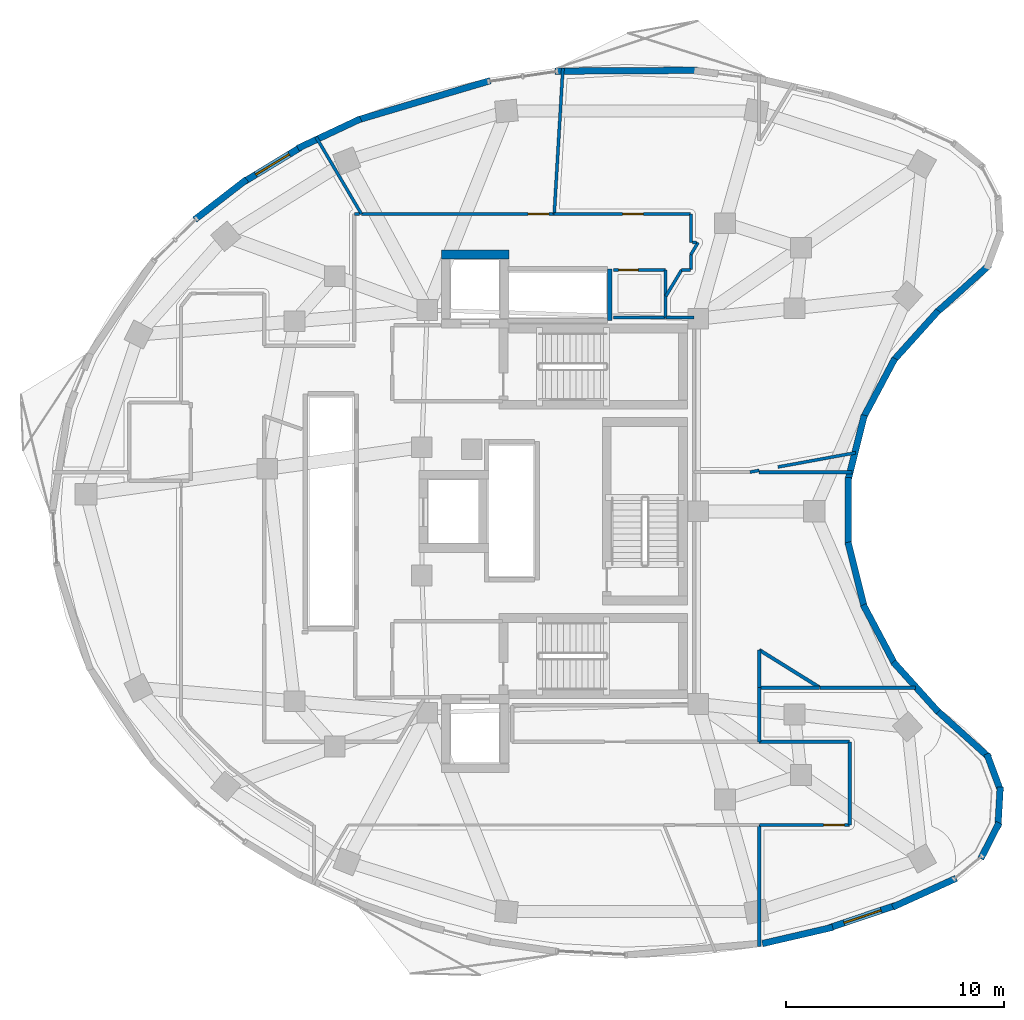
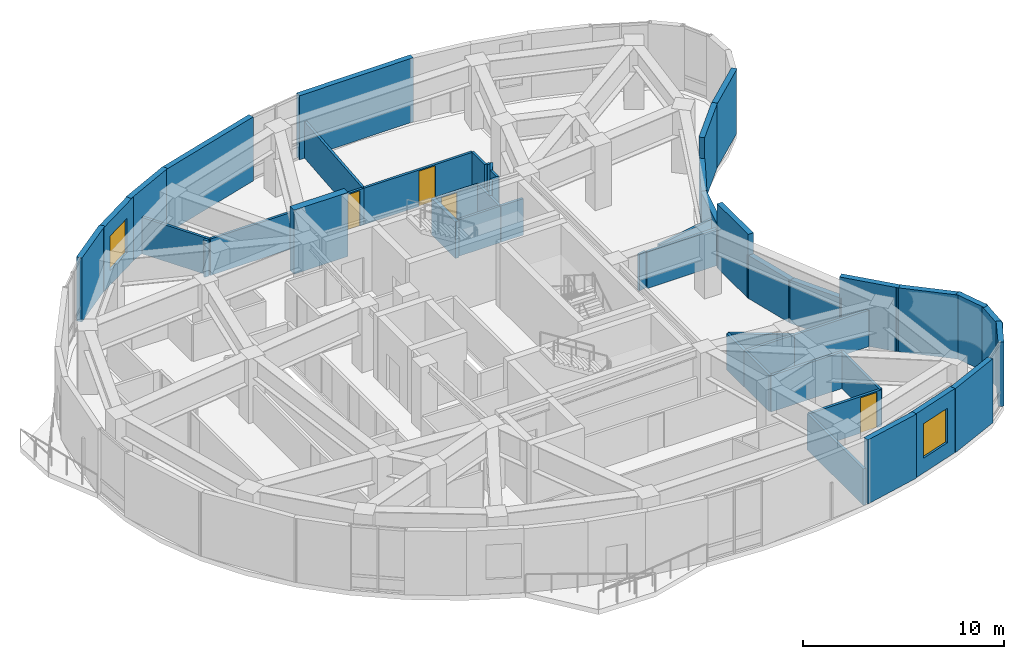
# One storey, part 8 of 12: 49 walls, 4 doors, 2 windows, 6 openings.
"""IFC4 building model written with IfcOpenShell, lengths in metres."""

from ifc_helpers import new_model, si_unit, direction, frame, frame_2d, origin, place, context, subcontext, project, spatial, rectangle, extrude, material, layer, layer_set, type_object, element, fill, save


model = new_model("IFC4")

# Units and contexts
model_context = context("Model", 3, precision=1e-05, world=origin(), true_north=direction((0.0, 1.0)))
body_context = subcontext(model_context, "Body", "Model", "MODEL_VIEW")
ifc_project = project(units=[si_unit("LENGTHUNIT", "METRE"), si_unit("AREAUNIT", "SQUARE_METRE"), si_unit("VOLUMEUNIT", "CUBIC_METRE"), si_unit("PLANEANGLEUNIT", "RADIAN"), si_unit("MASSUNIT", "GRAM", prefix="KILO")], contexts=[model_context])

# Site, building, storey
site_placement = place(None, origin())
site = spatial("IfcSite", under=ifc_project, at=site_placement, CompositionType="ELEMENT")
building_placement = place(site_placement, origin())
building = spatial("IfcBuilding", under=site, at=building_placement, Name="Korentha Bioscience Tower", CompositionType="ELEMENT")
storey_placement = place(building_placement, frame((0.0, 0.0, 196.199951171875)))
storey = spatial("IfcBuildingStorey", under=building, at=storey_placement, Name="L45", CompositionType="ELEMENT", Elevation=196.199951171875)

# Wall, opening, door
ifc_material_1 = material(Name="Double-Stud Acoustic Gypsum", Category="gypsum")
ifc_layer_1 = layer(ifc_material_1, 0.14990234375, Name="Double-Stud Acoustic Gypsum")
ifc_layer_set_1 = layer_set([ifc_layer_1], Name="Double-Stud Acoustic Gypsum (IW-L150)")
wall_type_1 = type_object("IfcWallType", Name="Acoustic Laboratory Partition Wall 150", PredefinedType="PARTITIONING", material=ifc_layer_set_1)
wall_1_placement = place(storey_placement, frame((40.35791015625, 12.590087890625, 0.0), z_axis=(0.0, 0.0, 1.0), x_axis=(1.0, 0.0, 0.0)))
wall_1 = element("IfcWall", 1, at=wall_1_placement, inside=storey, type_object=wall_type_1, Name="L45 Researchers' Wellness Quiet Room 05 Entrance Wall", PredefinedType="PARTITIONING", context=body_context, shape_type="SweptSolid", body=[
    extrude(rectangle(XDim=4.14208984375, YDim=0.14990234375, at=frame_2d((2.071044921875, 0.0))), origin(), (0.0, 0.0, 1.0), 2.219970703125),
])
opening_1_placement = place(wall_1_placement, frame((2.951904296875, 0.0, 0.0)))
opening_1 = element("IfcOpeningElement", 2, at=opening_1_placement, cuts=wall_1, Name="Opening ID-10R", PredefinedType="OPENING", context=body_context, shape_type="SweptSolid", body=[
    extrude(rectangle(XDim=0.949951171875, YDim=2.14990234375, at=frame_2d((0.47509765625, 1.074951171875))), frame((0.0, 0.08984375, 0.0), z_axis=(0.0, -1.0, 0.0), x_axis=(1.0, 0.0, 0.0)), (0.0, 0.0, 1.0), 0.1796875),
])
ifc_material_2 = material(Name="Phenolic Laminate Timber Core", Category="wood")
door_type_1 = type_object("IfcDoorType", Name="Laboratory Single Leaf Door 950x2150 Right", OperationType="SINGLE_SWING_RIGHT", PredefinedType="DOOR", material=ifc_material_2)
door_1_placement = place(opening_1_placement, origin())
door_1 = element("IfcDoor", 3, at=door_1_placement, inside=storey, type_object=door_type_1, Name="L45 Researchers' Wellness Quiet Room 05 Door", OperationType="SINGLE_SWING_RIGHT", OverallHeight=2.14990234375, OverallWidth=0.949951171875, PredefinedType="DOOR", context=body_context, shape_type="SweptSolid", body=[
    extrude(rectangle(XDim=0.949951171875, YDim=2.14990234375, at=frame_2d((0.47509765625, 1.074951171875))), frame((0.0, 0.02490234375, 0.0), z_axis=(0.0, -1.0, 0.0), x_axis=(1.0, 0.0, 0.0)), (0.0, 0.0, 1.0), 0.050048828125),
])
fill(opening_1, door_1)

# Walls
wall_2_placement = place(storey_placement, frame((40.347900390625, 12.590087890625, 0.0), z_axis=(0.0, 0.0, 1.0), x_axis=(0.0, -1.0, 0.0)))
element("IfcWall", 4, at=wall_2_placement, inside=storey, type_object=wall_type_1, Name="L45 Interior Partition 033", PredefinedType="PARTITIONING", context=body_context, shape_type="SweptSolid", body=[
    extrude(rectangle(XDim=5.5810546875, YDim=0.14990234375, at=frame_2d((2.79052734375, 0.0))), origin(), (0.0, 0.0, 1.0), 2.219970703125),
])
wall_3_placement = place(storey_placement, frame((40.35205078125, 18.89794921875, 0.0), z_axis=(0.0, 0.0, 1.0), x_axis=(1.0, 0.0, 0.0)))
element("IfcWall", 5, at=wall_3_placement, inside=storey, type_object=wall_type_1, Name="L45 Interior Partition 034", PredefinedType="PARTITIONING", context=body_context, shape_type="SweptSolid", body=[
    extrude(rectangle(XDim=2.78076171875, YDim=0.14990234375, at=frame_2d((1.390380859375, 0.0))), origin(), (0.0, 0.0, 1.0), 2.219970703125),
])
wall_4_placement = place(storey_placement, frame((43.140625, 18.89794921875, 0.0), z_axis=(0.0, 0.0, 1.0), x_axis=(1.0, 0.0, 0.0)))
element("IfcWall", 6, at=wall_4_placement, inside=storey, type_object=wall_type_1, Name="L45 Interior Partition 035", PredefinedType="PARTITIONING", context=body_context, shape_type="SweptSolid", body=[
    extrude(rectangle(XDim=4.395263671875, YDim=0.14990234375, at=frame_2d((2.19775390625, 0.0))), origin(), (0.0, 0.0, 1.0), 2.219970703125),
])
wall_5_placement = place(storey_placement, frame((44.510009765625, 12.60009765625, 0.0), z_axis=(0.0, 0.0, 1.0), x_axis=(0.0, 1.0, 0.0)))
element("IfcWall", 7, at=wall_5_placement, inside=storey, type_object=wall_type_1, Name="L45 Interior Partition 036", PredefinedType="PARTITIONING", context=body_context, shape_type="SweptSolid", body=[
    extrude(rectangle(XDim=3.7998046875, YDim=0.14990234375, at=frame_2d((1.89990234375, 0.0))), origin(), (0.0, 0.0, 1.0), 2.219970703125),
])
wall_6_placement = place(storey_placement, frame((44.5, 16.409912109375, 0.0), z_axis=(0.0, 0.0, 1.0), x_axis=(-1.0, 0.0, 0.0)))
element("IfcWall", 8, at=wall_6_placement, inside=storey, type_object=wall_type_1, Name="L45 Interior Partition 037", PredefinedType="PARTITIONING", context=body_context, shape_type="SweptSolid", body=[
    extrude(rectangle(XDim=4.14794921875, YDim=0.14990234375, at=frame_2d((2.073974609375, 0.0))), origin(), (0.0, 0.0, 1.0), 2.219970703125),
])
wall_7_placement = place(storey_placement, frame((40.35205078125, 16.409912109375, 0.0), z_axis=(0.0, 0.0, 1.0), x_axis=(0.0, 1.0, 0.0)))
element("IfcWall", 9, at=wall_7_placement, inside=storey, type_object=wall_type_1, Name="L45 Interior Partition 038", PredefinedType="PARTITIONING", context=body_context, shape_type="SweptSolid", body=[
    extrude(rectangle(XDim=2.488037109375, YDim=0.14990234375, at=frame_2d((1.244140625, 0.0))), origin(), (0.0, 0.0, 1.0), 2.219970703125),
])
wall_8_placement = place(storey_placement, frame((21.99169921875, 40.659912109375, 0.0), z_axis=(0.0, 0.0, 1.0), x_axis=(-1.0, 0.0, 0.0)))
element("IfcWall", 10, at=wall_8_placement, inside=storey, type_object=wall_type_1, Name="L45 Interior Partition 062", PredefinedType="PARTITIONING", context=body_context, shape_type="SweptSolid", body=[
    extrude(rectangle(XDim=0.24169921875, YDim=0.14990234375, at=frame_2d((0.120849609375, 0.0))), origin(), (0.0, 0.0, 1.0), 2.219970703125),
])

# Wall, opening, door
ifc_material_3 = material(Name="Insulated Aluminium Honeycomb Panel", Category="aluminium")
ifc_layer_2 = layer(ifc_material_3, 0.139892578125, Name="Insulated Aluminium Honeycomb Panel")
ifc_layer_set_2 = layer_set([ifc_layer_2], Name="Insulated Aluminium Honeycomb Panel (IW-F60)")
wall_type_2 = type_object("IfcWallType", Name="Cleanroom Flush Metal Panel Partition 140", PredefinedType="PARTITIONING", material=ifc_layer_set_2)
wall_9_placement = place(storey_placement, frame((37.199951171875, 40.659912109375, 0.0), z_axis=(0.0, 0.0, 1.0), x_axis=(-1.0, 0.0, 0.0)))
wall_9 = element("IfcWall", 11, at=wall_9_placement, inside=storey, type_object=wall_type_2, Name="L45 BSL-2 Cell Culture Cleanroom Laboratory 07 Entrance Wall", PredefinedType="PARTITIONING", context=body_context, shape_type="SweptSolid", body=[
    extrude(rectangle(XDim=6.265869140625, YDim=0.139892578125, at=frame_2d((3.1328125, 0.0))), origin(), (0.0, 0.0, 1.0), 2.219970703125),
])
opening_2_placement = place(wall_9_placement, frame((2.173095703125, 0.0, 0.0)))
opening_2 = element("IfcOpeningElement", 12, at=opening_2_placement, cuts=wall_9, Name="Opening ID-10R", PredefinedType="OPENING", context=body_context, shape_type="SweptSolid", body=[
    extrude(rectangle(XDim=0.949951171875, YDim=2.14990234375, at=frame_2d((0.47509765625, 1.074951171875))), frame((0.0, 0.0849609375, 0.0), z_axis=(0.0, -1.0, 0.0), x_axis=(1.0, 0.0, 0.0)), (0.0, 0.0, 1.0), 0.169677734375),
])
door_2_placement = place(opening_2_placement, origin())
door_2 = element("IfcDoor", 13, at=door_2_placement, inside=storey, type_object=door_type_1, Name="L45 BSL-2 Cell Culture Cleanroom Laboratory 07 Door", OperationType="SINGLE_SWING_RIGHT", OverallHeight=2.14990234375, OverallWidth=0.949951171875, PredefinedType="DOOR", context=body_context, shape_type="SweptSolid", body=[
    extrude(rectangle(XDim=0.949951171875, YDim=2.14990234375, at=frame_2d((0.47509765625, 1.074951171875))), frame((0.0, 0.02490234375, 0.0), z_axis=(0.0, -1.0, 0.0), x_axis=(1.0, 0.0, 0.0)), (0.0, 0.0, 1.0), 0.050048828125),
])
fill(opening_2, door_2)

wall_10_placement = place(storey_placement, frame((30.924072265625, 40.659912109375, 0.0), z_axis=(0.0, 0.0, 1.0), x_axis=(-1.0, 0.0, 0.0)))
wall_10 = element("IfcWall", 14, at=wall_10_placement, inside=storey, type_object=wall_type_2, Name="L45 Airlock Gowning Anteroom 08 Entrance Wall", PredefinedType="PARTITIONING", context=body_context, shape_type="SweptSolid", body=[
    extrude(rectangle(XDim=8.84765625, YDim=0.139892578125, at=frame_2d((4.423828125, 0.0))), origin(), (0.0, 0.0, 1.0), 2.219970703125),
])
opening_3_placement = place(wall_10_placement, frame((0.239990234375, 0.0, 0.0)))
opening_3 = element("IfcOpeningElement", 15, at=opening_3_placement, cuts=wall_10, Name="Opening ID-10L", PredefinedType="OPENING", context=body_context, shape_type="SweptSolid", body=[
    extrude(rectangle(XDim=0.949951171875, YDim=2.14990234375, at=frame_2d((0.47509765625, 1.074951171875))), frame((0.0, 0.0849609375, 0.0), z_axis=(0.0, -1.0, 0.0), x_axis=(1.0, 0.0, 0.0)), (0.0, 0.0, 1.0), 0.169677734375),
])
door_type_2 = type_object("IfcDoorType", Name="Laboratory Single Leaf Door 950x2150 Left", OperationType="SINGLE_SWING_LEFT", PredefinedType="DOOR", material=ifc_material_2)
door_3_placement = place(opening_3_placement, origin())
door_3 = element("IfcDoor", 16, at=door_3_placement, inside=storey, type_object=door_type_2, Name="L45 Airlock Gowning Anteroom 08 Door", OperationType="SINGLE_SWING_LEFT", OverallHeight=2.14990234375, OverallWidth=0.949951171875, PredefinedType="DOOR", context=body_context, shape_type="SweptSolid", body=[
    extrude(rectangle(XDim=0.949951171875, YDim=2.14990234375, at=frame_2d((0.47509765625, 1.074951171875))), frame((0.0, 0.02490234375, 0.0), z_axis=(0.0, -1.0, 0.0), x_axis=(1.0, 0.0, 0.0)), (0.0, 0.0, 1.0), 0.050048828125),
])
fill(opening_3, door_3)

# Walls
wall_11_placement = place(storey_placement, frame((44.777587890625, 29.692138671875, 0.0), z_axis=(0.0, 0.0, 1.0), x_axis=(-0.983576469436, -0.180491907776, 0.0)))
element("IfcWall", 17, at=wall_11_placement, inside=storey, type_object=wall_type_2, Name="L45 Interior Partition 049", PredefinedType="PARTITIONING", context=body_context, shape_type="SweptSolid", body=[
    extrude(rectangle(XDim=3.623779296875, YDim=0.139892578125, at=frame_2d((1.81201171875, 0.0))), origin(), (0.0, 0.0, 1.0), 2.219970703125),
])
wall_12_placement = place(storey_placement, frame((40.347900390625, 28.879150390625, 0.0), z_axis=(0.0, 0.0, 1.0), x_axis=(-0.983557526281, -0.180595106511, 0.0)))
element("IfcWall", 18, at=wall_12_placement, inside=storey, type_object=wall_type_2, Name="L45 Interior Partition 050", PredefinedType="PARTITIONING", context=body_context, shape_type="SweptSolid", body=[
    extrude(rectangle(XDim=0.42724609375, YDim=0.139892578125, at=frame_2d((0.213623046875, 0.0))), origin(), (0.0, 0.0, 1.0), 2.219970703125),
])
wall_13_placement = place(storey_placement, frame((37.35009765625, 35.909912109375, 0.0), z_axis=(0.0, 0.0, 1.0), x_axis=(-1.0, 0.0, 0.0)))
element("IfcWall", 19, at=wall_13_placement, inside=storey, type_object=wall_type_2, Name="L45 Interior Partition 053", PredefinedType="PARTITIONING", context=body_context, shape_type="SweptSolid", body=[
    extrude(rectangle(XDim=1.2900390625, YDim=0.139892578125, at=frame_2d((0.64501953125, 0.0))), origin(), (0.0, 0.0, 1.0), 2.219970703125),
])
wall_14_placement = place(storey_placement, frame((36.06005859375, 36.88134765625, 0.0), z_axis=(0.0, 0.0, 1.0), x_axis=(0.515055765628, 0.857156670798, 0.0)))
element("IfcWall", 20, at=wall_14_placement, inside=storey, type_object=wall_type_2, Name="L45 Interior Partition 054", PredefinedType="PARTITIONING", context=body_context, shape_type="SweptSolid", body=[
    extrude(rectangle(XDim=1.41015625, YDim=0.139892578125, at=frame_2d((0.705078125, 0.0))), origin(), (0.0, 0.0, 1.0), 2.219970703125),
])
wall_15_placement = place(storey_placement, frame((36.786376953125, 38.090087890625, 0.0), z_axis=(0.0, 0.0, 1.0), x_axis=(1.0, 0.0, 0.0)))
element("IfcWall", 21, at=wall_15_placement, inside=storey, type_object=wall_type_2, Name="L45 Interior Partition 055", PredefinedType="PARTITIONING", context=body_context, shape_type="SweptSolid", body=[
    extrude(rectangle(XDim=0.41357421875, YDim=0.139892578125, at=frame_2d((0.206787109375, 0.0))), origin(), (0.0, 0.0, 1.0), 2.219970703125),
])
wall_16_placement = place(storey_placement, frame((37.2099609375, 38.10009765625, 0.0), z_axis=(0.0, 0.0, 1.0), x_axis=(0.0, 1.0, 0.0)))
element("IfcWall", 22, at=wall_16_placement, inside=storey, type_object=wall_type_2, Name="L45 Interior Partition 056", PredefinedType="PARTITIONING", context=body_context, shape_type="SweptSolid", body=[
    extrude(rectangle(XDim=0.695068359375, YDim=0.139892578125, at=frame_2d((0.34765625, 0.0))), origin(), (0.0, 0.0, 1.0), 2.219970703125),
])
wall_17_placement = place(storey_placement, frame((37.2099609375, 38.795166015625, 0.0), z_axis=(0.0, 0.0, 1.0), x_axis=(0.515166038095, 0.857090399662, 0.0)))
element("IfcWall", 23, at=wall_17_placement, inside=storey, type_object=wall_type_2, Name="L45 Interior Partition 057", PredefinedType="PARTITIONING", context=body_context, shape_type="SweptSolid", body=[
    extrude(rectangle(XDim=0.642578125, YDim=0.139892578125, at=frame_2d((0.3212890625, 0.0))), origin(), (0.0, 0.0, 1.0), 2.219970703125),
])
wall_18_placement = place(storey_placement, frame((37.45947265625, 39.35205078125, 0.0), z_axis=(0.0, 0.0, 1.0), x_axis=(-1.0, 0.0, 0.0)))
element("IfcWall", 24, at=wall_18_placement, inside=storey, type_object=wall_type_2, Name="L45 Interior Partition 058", PredefinedType="PARTITIONING", context=body_context, shape_type="SweptSolid", body=[
    extrude(rectangle(XDim=0.176513671875, YDim=0.139892578125, at=frame_2d((0.08837890625, 0.0))), origin(), (0.0, 0.0, 1.0), 2.219970703125),
])
wall_19_placement = place(storey_placement, frame((37.2099609375, 39.35205078125, 0.0), z_axis=(0.0, 0.0, 1.0), x_axis=(0.0, 1.0, 0.0)))
element("IfcWall", 25, at=wall_19_placement, inside=storey, type_object=wall_type_2, Name="L45 Interior Partition 059", PredefinedType="PARTITIONING", context=body_context, shape_type="SweptSolid", body=[
    extrude(rectangle(XDim=1.2978515625, YDim=0.139892578125, at=frame_2d((0.64892578125, 0.0))), origin(), (0.0, 0.0, 1.0), 2.219970703125),
])
wall_20_placement = place(storey_placement, frame((30.93408203125, 40.659912109375, 0.0), z_axis=(0.0, 0.0, 1.0), x_axis=(0.059274468421, 0.998241722928, 0.0)))
element("IfcWall", 26, at=wall_20_placement, inside=storey, type_object=wall_type_2, Name="L45 Interior Partition 060", PredefinedType="PARTITIONING", context=body_context, shape_type="SweptSolid", body=[
    extrude(rectangle(XDim=6.70947265625, YDim=0.139892578125, at=frame_2d((3.354736328125, 0.0))), origin(), (0.0, 0.0, 1.0), 2.219970703125),
])
wall_21_placement = place(storey_placement, frame((22.076416015625, 40.659912109375, 0.0), z_axis=(0.0, 0.0, 1.0), x_axis=(-0.507538873586, 0.86162885966, 0.0)))
element("IfcWall", 27, at=wall_21_placement, inside=storey, type_object=wall_type_2, Name="L45 Interior Partition 061", PredefinedType="PARTITIONING", context=body_context, shape_type="SweptSolid", body=[
    extrude(rectangle(XDim=4.11279296875, YDim=0.139892578125, at=frame_2d((2.056396484375, 0.0))), origin(), (0.0, 0.0, 1.0), 2.219970703125),
])
ifc_material_4 = material(Name="Gypsum-Clad Steel Stud", Category="steel")
ifc_layer_3 = layer(ifc_material_4, 0.159912109375, Name="Gypsum-Clad Steel Stud")
ifc_layer_set_3 = layer_set([ifc_layer_3], Name="Gypsum-Clad Steel Stud (IW-C160)")
wall_type_3 = type_object("IfcWallType", Name="Fire-Rated Corridor Partition Wall 160", PredefinedType="PARTITIONING", material=ifc_layer_set_3)
wall_22_placement = place(storey_placement, frame((40.35205078125, 28.798095703125, 0.0), z_axis=(0.0, 0.0, 1.0), x_axis=(1.0, 0.0, 0.0)))
element("IfcWall", 28, at=wall_22_placement, inside=storey, type_object=wall_type_3, Name="L45 Interior Partition 043", PredefinedType="PARTITIONING", context=body_context, shape_type="SweptSolid", body=[
    extrude(rectangle(XDim=4.2734375, YDim=0.159912109375, at=frame_2d((2.13671875, 0.0))), origin(), (0.0, 0.0, 1.0), 2.219970703125),
])
wall_23_placement = place(storey_placement, frame((43.12451171875, 18.907958984375, 0.0), z_axis=(0.0, 0.0, 1.0), x_axis=(-0.848988734201, 0.528410947274, 0.0)))
element("IfcWall", 29, at=wall_23_placement, inside=storey, type_object=wall_type_3, Name="L45 Interior Partition 044", PredefinedType="PARTITIONING", context=body_context, shape_type="SweptSolid", body=[
    extrude(rectangle(XDim=3.26318359375, YDim=0.159912109375, at=frame_2d((1.631591796875, 0.0))), origin(), (0.0, 0.0, 1.0), 2.219970703125),
])
wall_24_placement = place(storey_placement, frame((40.347900390625, 20.62890625, 0.0), z_axis=(0.0, 0.0, 1.0), x_axis=(0.0, -1.0, 0.0)))
element("IfcWall", 30, at=wall_24_placement, inside=storey, type_object=wall_type_3, Name="L45 Interior Partition 045", PredefinedType="PARTITIONING", context=body_context, shape_type="SweptSolid", body=[
    extrude(rectangle(XDim=1.721923828125, YDim=0.159912109375, at=frame_2d((0.86083984375, 0.0))), origin(), (0.0, 0.0, 1.0), 2.219970703125),
])

# Wall, opening, window
ifc_material_5 = material(Name="Honed Limestone Precast Concrete C40", Category="masonry")
ifc_layer_4 = layer(ifc_material_5, 0.300048828125, Name="Honed Limestone Precast Concrete C40")
ifc_layer_set_4 = layer_set([ifc_layer_4], Name="Honed Limestone Precast Concrete C40 (EW-ST300)")
wall_type_4 = type_object("IfcWallType", Name="Honed Limestone Cavity Spandrel Wall 300", PredefinedType="STANDARD", material=ifc_layer_set_4)
wall_25_placement = place(storey_placement, frame((19.303466796875, 43.736083984375, 0.0), z_axis=(0.0, 0.0, 1.0), x_axis=(-0.85455658592, -0.519358297769, 0.0)))
wall_25 = element("IfcWall", 31, at=wall_25_placement, inside=storey, type_object=wall_type_4, Name="L45 Honed Limestone Spandrel Wall 11", PredefinedType="STANDARD", context=body_context, shape_type="SweptSolid", body=[
    extrude(rectangle(XDim=3.06640625, YDim=0.300048828125, at=frame_2d((1.533203125, 0.0))), origin(), (0.0, 0.0, 1.0), 3.900146484375),
])
opening_4_placement = place(wall_25_placement, frame((0.63330078125, 0.0, 0.89990234375)))
opening_4 = element("IfcOpeningElement", 32, at=opening_4_placement, cuts=wall_25, Name="Opening WN-01", PredefinedType="OPENING", context=body_context, shape_type="SweptSolid", body=[
    extrude(rectangle(XDim=1.800048828125, YDim=2.10009765625, at=frame_2d((0.89990234375, 1.050048828125))), frame((0.0, 0.1650390625, 0.0), z_axis=(0.0, -1.0, 0.0), x_axis=(1.0, 0.0, 0.0)), (0.0, 0.0, 1.0), 0.329833984375),
])
ifc_material_6 = material(Name="Thermally Broken Aluminium Triple Glazing", Category="aluminium")
window_type = type_object("IfcWindowType", Name="Triple-Glazed Fixed Bioscience Window 1800x2100", PartitioningType="SINGLE_PANEL", PredefinedType="WINDOW", material=ifc_material_6)
window_1_placement = place(opening_4_placement, origin())
window_1 = element("IfcWindow", 33, at=window_1_placement, inside=storey, type_object=window_type, Name="L45 Facade Window 11", OverallHeight=2.10009765625, OverallWidth=1.800048828125, PartitioningType="SINGLE_PANEL", PredefinedType="WINDOW", context=body_context, shape_type="SweptSolid", body=[
    extrude(rectangle(XDim=1.800048828125, YDim=2.10009765625, at=frame_2d((0.89990234375, 1.050048828125))), frame((0.0, 0.030029296875, 0.0), z_axis=(0.0, -1.0, 0.0), x_axis=(1.0, 0.0, 0.0)), (0.0, 0.0, 1.0), 0.06005859375),
])
fill(opening_4, window_1)

wall_26_placement = place(storey_placement, frame((43.5732421875, 7.865966796875, 0.0), z_axis=(0.0, 0.0, 1.0), x_axis=(0.947663163736, 0.319271871761, 0.0)))
wall_26 = element("IfcWall", 34, at=wall_26_placement, inside=storey, type_object=wall_type_4, Name="L45 Honed Limestone Spandrel Wall 35", PredefinedType="STANDARD", context=body_context, shape_type="SweptSolid", body=[
    extrude(rectangle(XDim=3.222412109375, YDim=0.300048828125, at=frame_2d((1.611328125, 0.0))), origin(), (0.0, 0.0, 1.0), 3.900146484375),
])
opening_5_placement = place(wall_26_placement, frame((0.711181640625, 0.0, 0.89990234375)))
opening_5 = element("IfcOpeningElement", 35, at=opening_5_placement, cuts=wall_26, Name="Opening WN-01", PredefinedType="OPENING", context=body_context, shape_type="SweptSolid", body=[
    extrude(rectangle(XDim=1.800048828125, YDim=2.10009765625, at=frame_2d((0.89990234375, 1.050048828125))), frame((0.0, 0.1650390625, 0.0), z_axis=(0.0, -1.0, 0.0), x_axis=(1.0, 0.0, 0.0)), (0.0, 0.0, 1.0), 0.329833984375),
])
window_2_placement = place(opening_5_placement, origin())
window_2 = element("IfcWindow", 36, at=window_2_placement, inside=storey, type_object=window_type, Name="L45 Facade Window 35", OverallHeight=2.10009765625, OverallWidth=1.800048828125, PartitioningType="SINGLE_PANEL", PredefinedType="WINDOW", context=body_context, shape_type="SweptSolid", body=[
    extrude(rectangle(XDim=1.800048828125, YDim=2.10009765625, at=frame_2d((0.89990234375, 1.050048828125))), frame((0.0, 0.030029296875, 0.0), z_axis=(0.0, -1.0, 0.0), x_axis=(1.0, 0.0, 0.0)), (0.0, 0.0, 1.0), 0.06005859375),
])
fill(opening_5, window_2)

# Walls
wall_27_placement = place(storey_placement, frame((37.52685546875, 47.2626953125, 0.0), z_axis=(0.0, 0.0, 1.0), x_axis=(-0.999982312698, -0.005947629086, 0.0)))
element("IfcWall", 37, at=wall_27_placement, inside=storey, type_object=wall_type_4, Name="L45 Limestone Perimeter Closure Wall 05", PredefinedType="STANDARD", context=body_context, shape_type="SweptSolid", body=[
    extrude(rectangle(XDim=6.567626953125, YDim=0.300048828125, at=frame_2d((3.28369140625, 0.0))), origin(), (0.0, 0.0, 1.0), 3.900146484375),
])
wall_28_placement = place(storey_placement, frame((28.001708984375, 46.791259765625, 0.0), z_axis=(0.0, 0.0, 1.0), x_axis=(-0.958672086524, -0.284513322218, 0.0)))
element("IfcWall", 38, at=wall_28_placement, inside=storey, type_object=wall_type_4, Name="L45 Limestone Perimeter Closure Wall 08", PredefinedType="STANDARD", context=body_context, shape_type="SweptSolid", body=[
    extrude(rectangle(XDim=6.3955078125, YDim=0.300048828125, at=frame_2d((3.19775390625, 0.0))), origin(), (0.0, 0.0, 1.0), 3.900146484375),
])
wall_29_placement = place(storey_placement, frame((22.03955078125, 45.035888671875, 0.0), z_axis=(0.0, 0.0, 1.0), x_axis=(-0.90504435143, -0.425317201561, 0.0)))
element("IfcWall", 39, at=wall_29_placement, inside=storey, type_object=wall_type_4, Name="L45 Limestone Perimeter Closure Wall 10", PredefinedType="STANDARD", context=body_context, shape_type="SweptSolid", body=[
    extrude(rectangle(XDim=3.185791015625, YDim=0.300048828125, at=frame_2d((1.5927734375, 0.0))), origin(), (0.0, 0.0, 1.0), 3.900146484375),
])
wall_30_placement = place(storey_placement, frame((16.80029296875, 42.249755859375, 0.0), z_axis=(0.0, 0.0, 1.0), x_axis=(-0.790530517055, -0.612422649488, 0.0)))
element("IfcWall", 40, at=wall_30_placement, inside=storey, type_object=wall_type_4, Name="L45 Limestone Perimeter Closure Wall 12", PredefinedType="STANDARD", context=body_context, shape_type="SweptSolid", body=[
    extrude(rectangle(XDim=3.019775390625, YDim=0.300048828125, at=frame_2d((1.509765625, 0.0))), origin(), (0.0, 0.0, 1.0), 3.900146484375),
])
wall_31_placement = place(storey_placement, frame((40.498779296875, 7.1396484375, 0.0), z_axis=(0.0, 0.0, 1.0), x_axis=(0.974179712493, 0.225773974956, 0.0)))
element("IfcWall", 41, at=wall_31_placement, inside=storey, type_object=wall_type_4, Name="L45 Limestone Perimeter Closure Wall 34", PredefinedType="STANDARD", context=body_context, shape_type="SweptSolid", body=[
    extrude(rectangle(XDim=3.314453125, YDim=0.300048828125, at=frame_2d((1.6572265625, 0.0))), origin(), (0.0, 0.0, 1.0), 3.900146484375),
])
wall_32_placement = place(storey_placement, frame((46.490478515625, 8.818359375, 0.0), z_axis=(0.0, 0.0, 1.0), x_axis=(0.910633193525, 0.413215666268, 0.0)))
element("IfcWall", 42, at=wall_32_placement, inside=storey, type_object=wall_type_4, Name="L45 Limestone Perimeter Closure Wall 36", PredefinedType="STANDARD", context=body_context, shape_type="SweptSolid", body=[
    extrude(rectangle(XDim=3.1953125, YDim=0.300048828125, at=frame_2d((1.59765625, 0.0))), origin(), (0.0, 0.0, 1.0), 3.900146484375),
])
for number, where, z_axis, x_axis, name in (
    (43, (50.533935546875, 11.041259765625, 0.0), (0.0, 0.0, 1.0), (0.454214122486, 0.890892547356, 0.0), "L45 Limestone Perimeter Closure Wall 38"),
    (44, (51.319091796875, 12.484375, 0.0), (0.0, 0.0, 1.0), (0.057485341891, 0.998346350455, 0.0), "L45 Limestone Perimeter Closure Wall 39"),
    (45, (51.45751953125, 14.121337890625, 0.0), (0.0, 0.0, 1.0), (-0.348984166898, 0.937128620443, 0.0), "L45 Limestone Perimeter Closure Wall 40"),
):
    element("IfcWall", number, at=place(storey_placement, frame(where, z_axis=z_axis, x_axis=x_axis)), inside=storey, type_object=wall_type_4, Name=name, PredefinedType="STANDARD", context=body_context, shape_type="SweptSolid", body=[
        extrude(rectangle(XDim=1.851806640625, YDim=0.300048828125, at=frame_2d((0.92578125, 0.0))), origin(), (0.0, 0.0, 1.0), 3.900146484375),
    ])
wall_33_placement = place(storey_placement, frame((50.936279296875, 15.6728515625, 0.0), z_axis=(0.0, 0.0, 1.0), x_axis=(-0.743341827472, 0.668911748687, 0.0)))
element("IfcWall", 46, at=wall_33_placement, inside=storey, type_object=wall_type_4, Name="L45 Limestone Perimeter Closure Wall 41", PredefinedType="STANDARD", context=body_context, shape_type="SweptSolid", body=[
    extrude(rectangle(XDim=3.3095703125, YDim=0.300048828125, at=frame_2d((1.65478515625, 0.0))), origin(), (0.0, 0.0, 1.0), 3.900146484375),
])
wall_34_placement = place(storey_placement, frame((48.57861328125, 17.7841796875, 0.0), z_axis=(0.0, 0.0, 1.0), x_axis=(-0.669165704933, 0.743113221079, 0.0)))
element("IfcWall", 47, at=wall_34_placement, inside=storey, type_object=wall_type_4, Name="L45 Limestone Perimeter Closure Wall 43", PredefinedType="STANDARD", context=body_context, shape_type="SweptSolid", body=[
    extrude(rectangle(XDim=3.0869140625, YDim=0.300048828125, at=frame_2d((1.54345703125, 0.0))), origin(), (0.0, 0.0, 1.0), 3.900146484375),
])
for number, where, z_axis, x_axis, name in (
    (48, (46.58447265625, 19.975830078125, 0.0), (0.0, 0.0, 1.0), (-0.469471310295, 0.882947727111, 0.0), "L45 Limestone Perimeter Closure Wall 45"),
    (49, (45.179931640625, 22.585205078125, 0.0), (0.0, 0.0, 1.0), (-0.241940068914, 0.970291194979, 0.0), "L45 Limestone Perimeter Closure Wall 47"),
):
    element("IfcWall", number, at=place(storey_placement, frame(where, z_axis=z_axis, x_axis=x_axis)), inside=storey, type_object=wall_type_4, Name=name, PredefinedType="STANDARD", context=body_context, shape_type="SweptSolid", body=[
        extrude(rectangle(XDim=3.0869140625, YDim=0.300048828125, at=frame_2d((1.54345703125, 0.0))), origin(), (0.0, 0.0, 1.0), 2.625),
    ])
wall_35_placement = place(storey_placement, frame((44.448486328125, 25.45654296875, 0.0), z_axis=(0.0, 0.0, 1.0), x_axis=(0.0, 1.0, 0.0)))
element("IfcWall", 50, at=wall_35_placement, inside=storey, type_object=wall_type_4, Name="L45 Limestone Perimeter Closure Wall 49", PredefinedType="STANDARD", context=body_context, shape_type="SweptSolid", body=[
    extrude(rectangle(XDim=3.0869140625, YDim=0.300048828125, at=frame_2d((1.54345703125, 0.0))), origin(), (0.0, 0.0, 1.0), 3.900146484375),
])
for number, where, z_axis, x_axis, name in (
    (51, (44.43310546875, 28.419677734375, 0.0), (0.0, 0.0, 1.0), (0.241940068914, 0.970291194979, 0.0), "L45 Limestone Perimeter Closure Wall 51"),
    (52, (45.13525390625, 31.298583984375, 0.0), (0.0, 0.0, 1.0), (0.469471310295, 0.882947727111, 0.0), "L45 Limestone Perimeter Closure Wall 53"),
):
    element("IfcWall", number, at=place(storey_placement, frame(where, z_axis=z_axis, x_axis=x_axis)), inside=storey, type_object=wall_type_4, Name=name, PredefinedType="STANDARD", context=body_context, shape_type="SweptSolid", body=[
        extrude(rectangle(XDim=3.0869140625, YDim=0.300048828125, at=frame_2d((1.54345703125, 0.0))), origin(), (0.0, 0.0, 1.0), 2.625),
    ])
wall_36_placement = place(storey_placement, frame((46.512939453125, 33.921875, 0.0), z_axis=(0.0, 0.0, 1.0), x_axis=(0.669165704933, 0.743113221079, 0.0)))
element("IfcWall", 53, at=wall_36_placement, inside=storey, type_object=wall_type_4, Name="L45 Limestone Perimeter Closure Wall 55", PredefinedType="STANDARD", context=body_context, shape_type="SweptSolid", body=[
    extrude(rectangle(XDim=3.0869140625, YDim=0.300048828125, at=frame_2d((1.54345703125, 0.0))), origin(), (0.0, 0.0, 1.0), 3.900146484375),
])
wall_37_placement = place(storey_placement, frame((48.47607421875, 36.11328125, 0.0), z_axis=(0.0, 0.0, 1.0), x_axis=(0.743341827472, 0.668911748687, 0.0)))
element("IfcWall", 54, at=wall_37_placement, inside=storey, type_object=wall_type_4, Name="L45 Limestone Perimeter Closure Wall 57", PredefinedType="STANDARD", context=body_context, shape_type="SweptSolid", body=[
    extrude(rectangle(XDim=3.3095703125, YDim=0.300048828125, at=frame_2d((1.65478515625, 0.0))), origin(), (0.0, 0.0, 1.0), 3.900146484375),
])
ifc_material_7 = material(Name="Autoclaved Aerated Concrete Block C25", Category="concrete")
ifc_layer_5 = layer(ifc_material_7, 0.199951171875, Name="Autoclaved Aerated Concrete Block C25")
ifc_layer_set_5 = layer_set([ifc_layer_5], Name="Autoclaved Aerated Concrete Block C25 (IW-S200)")
wall_type_5 = type_object("IfcWallType", Name="Lift and Riser Shaft Enclosure Wall 200", PredefinedType="PARTITIONING", material=ifc_layer_set_5)
wall_38_placement = place(storey_placement, frame((33.489990234375, 35.760009765625, 0.0), z_axis=(0.0, 0.0, 1.0), x_axis=(0.0, 1.0, 0.0)))
element("IfcWall", 55, at=wall_38_placement, inside=storey, type_object=wall_type_5, Name="L45 Lift Bank OBS Shaft Wall +X", PredefinedType="PARTITIONING", context=body_context, shape_type="SweptSolid", body=[
    extrude(rectangle(XDim=2.3798828125, YDim=0.199951171875, at=frame_2d((1.18994140625, 0.0))), origin(), (0.0, 0.0, 1.0), 2.219970703125),
])
ifc_material_8 = material(Name="Concrete C65", Category="concrete")
ifc_layer_6 = layer(ifc_material_8, 0.39990234375, Name="Concrete C65")
ifc_layer_set_6 = layer_set([ifc_layer_6], Name="Concrete C65 (CW-C65)")
wall_type_6 = type_object("IfcWallType", Name="Mid-Rise Core Shear Wall 400", PredefinedType="SHEAR", material=ifc_layer_set_6)
wall_39_placement = place(storey_placement, frame((25.75, 38.800048828125, 0.0), z_axis=(0.0, 0.0, 1.0), x_axis=(1.0, 0.0, 0.0)))
element("IfcWall", 56, at=wall_39_placement, inside=storey, type_object=wall_type_6, Name="L45 Core Shear Wall FFL2-N", PredefinedType="SHEAR", context=body_context, shape_type="SweptSolid", body=[
    extrude(rectangle(XDim=3.10009765625, YDim=0.39990234375, at=frame_2d((1.550048828125, 0.0))), origin(), (0.0, 0.0, 1.0), 3.900146484375),
])

# Wall, opening, door
ifc_material_9 = material(Name="Cement-Board Steel Stud", Category="steel")
ifc_layer_7 = layer(ifc_material_9, 0.1298828125, Name="Cement-Board Steel Stud")
ifc_layer_set_7 = layer_set([ifc_layer_7], Name="Cement-Board Steel Stud (IW-W130)")
wall_type_7 = type_object("IfcWallType", Name="Wet-Area Moisture-Resistant Partition 130", PredefinedType="PARTITIONING", material=ifc_layer_set_7)
wall_40_placement = place(storey_placement, frame((33.64990234375, 38.090087890625, 0.0), z_axis=(0.0, 0.0, 1.0), x_axis=(1.0, 0.0, 0.0)))
wall_40 = element("IfcWall", 57, at=wall_40_placement, inside=storey, type_object=wall_type_7, Name="L45 Accessible Staff WC Entrance Wall", PredefinedType="PARTITIONING", context=body_context, shape_type="SweptSolid", body=[
    extrude(rectangle(XDim=2.400146484375, YDim=0.1298828125, at=frame_2d((1.2001953125, 0.0))), origin(), (0.0, 0.0, 1.0), 2.219970703125),
])
opening_6_placement = place(wall_40_placement, frame((0.239990234375, 0.0, 0.0)))
opening_6 = element("IfcOpeningElement", 58, at=opening_6_placement, cuts=wall_40, Name="Opening ID-09R", PredefinedType="OPENING", context=body_context, shape_type="SweptSolid", body=[
    extrude(rectangle(XDim=0.89990234375, YDim=2.14990234375, at=frame_2d((0.449951171875, 1.074951171875))), frame((0.0, 0.079833984375, 0.0), z_axis=(0.0, -1.0, 0.0), x_axis=(1.0, 0.0, 0.0)), (0.0, 0.0, 1.0), 0.15966796875),
])
ifc_material_10 = material(Name="Moisture-Resistant HPL Leaf", Category="wood")
door_type_3 = type_object("IfcDoorType", Name="Restroom & Accessible WC Door 900x2150 Right", OperationType="SINGLE_SWING_RIGHT", PredefinedType="DOOR", material=ifc_material_10)
door_4_placement = place(opening_6_placement, origin())
door_4 = element("IfcDoor", 59, at=door_4_placement, inside=storey, type_object=door_type_3, Name="L45 Accessible Staff WC Door", OperationType="SINGLE_SWING_RIGHT", OverallHeight=2.14990234375, OverallWidth=0.89990234375, PredefinedType="DOOR", context=body_context, shape_type="SweptSolid", body=[
    extrude(rectangle(XDim=0.89990234375, YDim=2.14990234375, at=frame_2d((0.449951171875, 1.074951171875))), frame((0.0, 0.02490234375, 0.0), z_axis=(0.0, -1.0, 0.0), x_axis=(1.0, 0.0, 0.0)), (0.0, 0.0, 1.0), 0.050048828125),
])
fill(opening_6, door_4)

# Walls
wall_41_placement = place(storey_placement, frame((36.050048828125, 35.909912109375, 0.0), z_axis=(0.0, 0.0, 1.0), x_axis=(-1.0, 0.0, 0.0)))
element("IfcWall", 60, at=wall_41_placement, inside=storey, type_object=wall_type_7, Name="L45 Interior Partition 012", PredefinedType="PARTITIONING", context=body_context, shape_type="SweptSolid", body=[
    extrude(rectangle(XDim=2.400146484375, YDim=0.1298828125, at=frame_2d((1.2001953125, 0.0))), origin(), (0.0, 0.0, 1.0), 2.219970703125),
])
wall_42_placement = place(storey_placement, frame((36.050048828125, 38.090087890625, 0.0), z_axis=(0.0, 0.0, 1.0), x_axis=(0.0, -1.0, 0.0)))
element("IfcWall", 61, at=wall_42_placement, inside=storey, type_object=wall_type_7, Name="L45 Interior Partition 013", PredefinedType="PARTITIONING", context=body_context, shape_type="SweptSolid", body=[
    extrude(rectangle(XDim=2.18017578125, YDim=0.1298828125, at=frame_2d((1.090087890625, 0.0))), origin(), (0.0, 0.0, 1.0), 2.219970703125),
])

save(model, "model.ifc")
